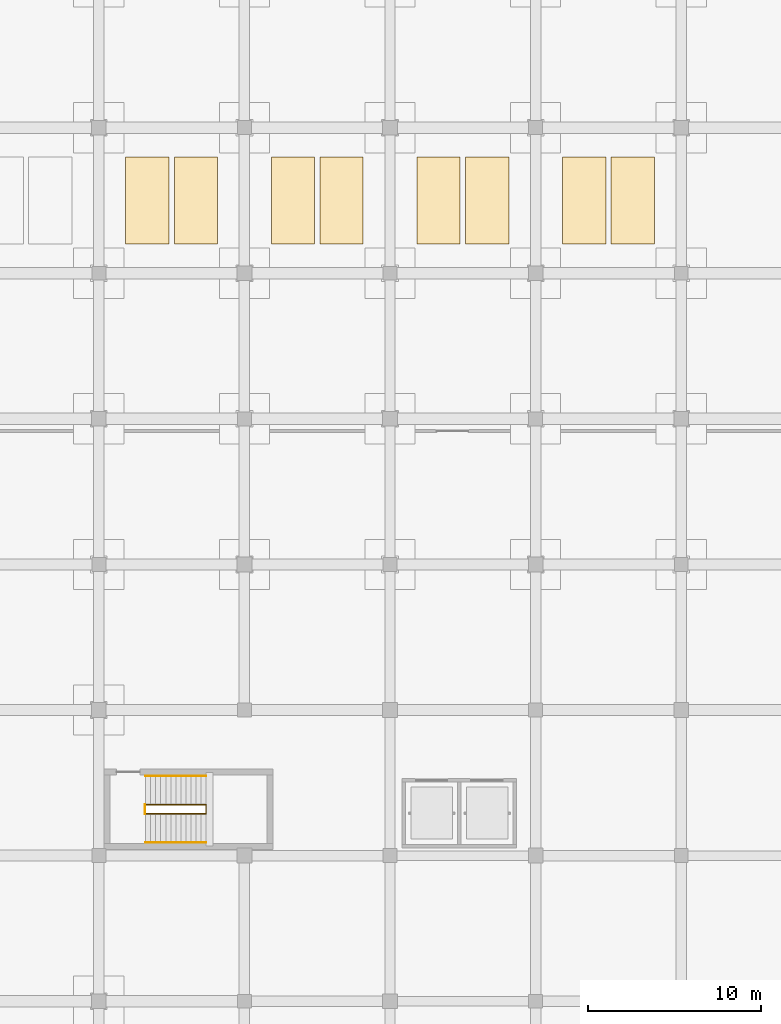
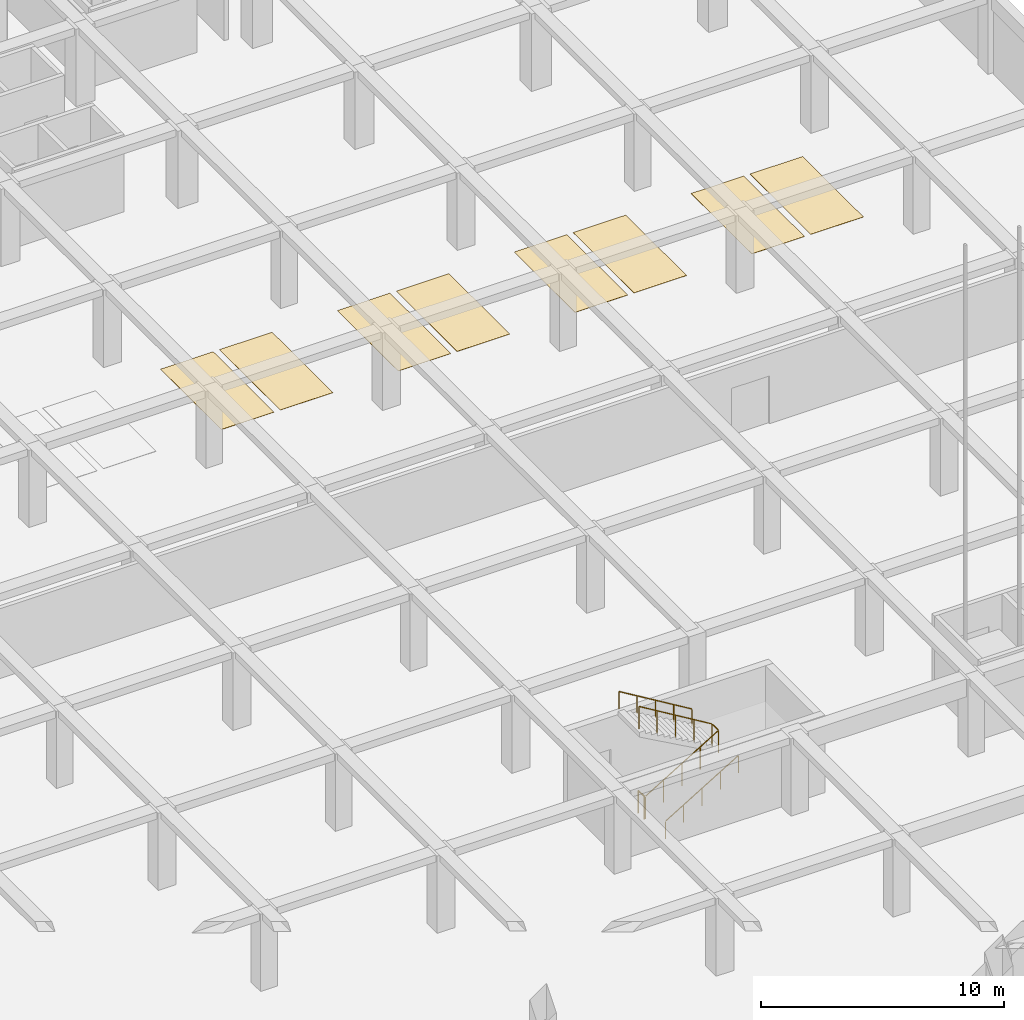
# One storey, part 30 of 32: 8 coverings, 4 railings.
"""IFC4 building model written with IfcOpenShell, lengths in metres."""

from ifc_helpers import new_model, si_unit, direction, frame, origin, origin_2d, place, context, subcontext, project, spatial, rectangle, circle, extrude, material, layer, layer_set, type_object, element, save


model = new_model("IFC4")

# Units and contexts
model_context = context("Model", 3, precision=1e-05, world=origin(), true_north=direction((0.0, 1.0)))
body_context = subcontext(model_context, "Body", "Model", "MODEL_VIEW")
ifc_project = project(units=[si_unit("LENGTHUNIT", "METRE"), si_unit("AREAUNIT", "SQUARE_METRE"), si_unit("VOLUMEUNIT", "CUBIC_METRE"), si_unit("PLANEANGLEUNIT", "RADIAN"), si_unit("MASSUNIT", "GRAM", prefix="KILO")], contexts=[model_context])

# Site, building, storey
site_placement = place(None, origin())
site = spatial("IfcSite", under=ifc_project, at=site_placement, CompositionType="ELEMENT")
building_placement = place(site_placement, origin())
building = spatial("IfcBuilding", under=site, at=building_placement, Name="Almacenes y Pasaje Nevantli", CompositionType="ELEMENT")
storey_placement = place(building_placement, frame((0.0, 0.0, -4.199951171875)))
storey = spatial("IfcBuildingStorey", under=building, at=storey_placement, Name="B01", CompositionType="ELEMENT", Elevation=-4.199951171875)

# Coverings
ifc_material_1 = material(Name="Thermoplastic Traffic Deck Marking", Category="stone")
ifc_layer = layer(ifc_material_1, 0.010009765625)
ifc_layer_set = layer_set([ifc_layer], Name="Thermoplastic Traffic Deck Marking")
covering_type = type_object("IfcCoveringType", Name="COV-PARK-BAY", PredefinedType="FLOORING", material=ifc_layer_set)
for number, where, z_axis, x_axis, name in (
    (1, (128.800048828125, 54.60009765625, 0.0), (0.0, 0.0, 1.0), (1.0, 0.0, 0.0), "B01 Underground Parking Bay Marking #101"),
    (2, (131.60009765625, 54.60009765625, 0.0), (0.0, 0.0, 1.0), (1.0, 0.0, 0.0), "B01 Underground Parking Bay Marking #102"),
    (3, (137.199951171875, 54.60009765625, 0.0), (0.0, 0.0, 1.0), (1.0, 0.0, 0.0), "B01 Underground Parking Bay Marking #103"),
    (4, (140.0, 54.60009765625, 0.0), (0.0, 0.0, 1.0), (1.0, 0.0, 0.0), "B01 Underground Parking Bay Marking #104"),
    (5, (145.60009765625, 54.60009765625, 0.0), (0.0, 0.0, 1.0), (1.0, 0.0, 0.0), "B01 Underground Parking Bay Marking #105"),
    (6, (148.39990234375, 54.60009765625, 0.0), (0.0, 0.0, 1.0), (1.0, 0.0, 0.0), "B01 Underground Parking Bay Marking #106"),
    (7, (154.0, 54.60009765625, 0.0), (0.0, 0.0, 1.0), (1.0, 0.0, 0.0), "B01 Underground Parking Bay Marking #107"),
    (8, (156.800048828125, 54.60009765625, 0.0), (0.0, 0.0, 1.0), (1.0, 0.0, 0.0), "B01 Underground Parking Bay Marking #108"),
):
    element("IfcCovering", number, at=place(storey_placement, frame(where, z_axis=z_axis, x_axis=x_axis)), inside=storey, type_object=covering_type, Name=name, PredefinedType="FLOORING", context=body_context, shape_type="SweptSolid", body=[
        extrude(rectangle(XDim=2.5, YDim=5.0, at=origin_2d()), origin(), (0.0, 0.0, 1.0), 0.010009765625),
    ])

# Railings
ifc_material_2 = material(Name="Brushed Stainless Steel and Tempered Safety Glass", Category="steel")
railing_type_1 = type_object("IfcRailingType", Name="RL-GUARD-1100", PredefinedType="BALUSTRADE", material=ifc_material_2)
railing_1_placement = place(storey_placement, frame((128.699951171875, 19.2099609375, 0.0)))
element("IfcRailing", 9, at=railing_1_placement, inside=storey, type_object=railing_type_1, Name="B01 Stair ST-06 Inner Well Guard Balustrade", PredefinedType="BALUSTRADE", context=body_context, shape_type="SweptSolid", body=[
    extrude(circle(Radius=0.02392578125, at=origin_2d()), frame((0.025634765625, 0.0, 1.141357421875), z_axis=(0.856202320911, 0.0, 0.516640673647), x_axis=(0.0, 1.0, 0.0)), (0.0, 0.0, 1.0), 4.00439453125),
    extrude(circle(Radius=0.02392578125, at=origin_2d()), frame((3.47998046875, 0.030029296875, 3.2255859375), z_axis=(0.0, 1.0, 0.0), x_axis=(-1.0, 0.0, 0.0)), (0.0, 0.0, 1.0), 0.469970703125),
    extrude(circle(Radius=0.02392578125, at=origin_2d()), frame((3.454345703125, 0.530029296875, 3.2412109375), z_axis=(-0.856175749803, 0.0, 0.516684706034), x_axis=(0.0, -1.0, 0.0)), (0.0, 0.0, 1.0), 4.004638671875),
    extrude(circle(Radius=0.02099609375, at=origin_2d()), origin(), (0.0, 0.0, 1.0), 1.096923828125),
    extrude(circle(Radius=0.02099609375, at=origin_2d()), frame((0.8701171875, 0.0, 0.52490234375)), (0.0, 0.0, 1.0), 1.096923828125),
    extrude(circle(Radius=0.02099609375, at=origin_2d()), frame((1.739990234375, 0.0, 1.0498046875)), (0.0, 0.0, 1.0), 1.096923828125),
    extrude(circle(Radius=0.02099609375, at=origin_2d()), frame((2.60986328125, 0.0, 1.574951171875)), (0.0, 0.0, 1.0), 1.096923828125),
    extrude(circle(Radius=0.02099609375, at=origin_2d()), frame((3.47998046875, 0.0, 2.099853515625)), (0.0, 0.0, 1.0), 1.096923828125),
    extrude(circle(Radius=0.02099609375, at=origin_2d()), frame((3.47998046875, 0.530029296875, 2.099853515625)), (0.0, 0.0, 1.0), 1.096923828125),
    extrude(circle(Radius=0.02099609375, at=origin_2d()), frame((2.60986328125, 0.530029296875, 2.625)), (0.0, 0.0, 1.0), 1.096923828125),
    extrude(circle(Radius=0.02099609375, at=origin_2d()), frame((1.739990234375, 0.530029296875, 3.14990234375)), (0.0, 0.0, 1.0), 1.096923828125),
    extrude(circle(Radius=0.02099609375, at=origin_2d()), frame((0.8701171875, 0.530029296875, 3.6748046875)), (0.0, 0.0, 1.0), 1.096923828125),
    extrude(circle(Radius=0.02099609375, at=origin_2d()), frame((0.0, 0.530029296875, 4.199951171875)), (0.0, 0.0, 1.0), 1.096923828125),
])
railing_2_placement = place(storey_placement, frame((128.659912109375, 19.2099609375, 0.0)))
element("IfcRailing", 10, at=railing_2_placement, inside=storey, type_object=railing_type_1, Name="B01 Stair ST-06 Landing Well Slot Guard", PredefinedType="BALUSTRADE", context=body_context, shape_type="SweptSolid", body=[
    extrude(circle(Radius=0.02392578125, at=origin_2d()), frame((0.0, 0.030029296875, 1.1259765625), z_axis=(0.0, 1.0, 0.0), x_axis=(-1.0, 0.0, 0.0)), (0.0, 0.0, 1.0), 0.469970703125),
    extrude(circle(Radius=0.02099609375, at=origin_2d()), origin(), (0.0, 0.0, 1.0), 1.096923828125),
    extrude(circle(Radius=0.02099609375, at=origin_2d()), frame((0.0, 0.530029296875, 0.0)), (0.0, 0.0, 1.0), 1.096923828125),
])
ifc_material_3 = material(Name="Brushed Stainless Steel Tube", Category="steel")
railing_type_2 = type_object("IfcRailingType", Name="RL-HANDRAIL-900", PredefinedType="HANDRAIL", material=ifc_material_3)
railing_3_placement = place(storey_placement, frame((128.699951171875, 17.56005859375, 0.0)))
element("IfcRailing", 11, at=railing_3_placement, inside=storey, type_object=railing_type_2, Name="B01 Stair ST-06 Lower Flight Handrail", PredefinedType="HANDRAIL", context=body_context, shape_type="SweptSolid", body=[
    extrude(circle(Radius=0.02392578125, at=origin_2d()), frame((0.025634765625, 0.0, 0.891357421875), z_axis=(0.856202320911, 0.0, 0.516640673647), x_axis=(0.0, 1.0, 0.0)), (0.0, 0.0, 1.0), 4.00439453125),
    extrude(circle(Radius=0.02099609375, at=origin_2d()), origin(), (0.0, 0.0, 1.0), 0.846923828125),
    extrude(circle(Radius=0.02099609375, at=origin_2d()), frame((0.8701171875, 0.0, 0.52490234375)), (0.0, 0.0, 1.0), 0.846923828125),
    extrude(circle(Radius=0.02099609375, at=origin_2d()), frame((1.739990234375, 0.0, 1.0498046875)), (0.0, 0.0, 1.0), 0.846923828125),
    extrude(circle(Radius=0.02099609375, at=origin_2d()), frame((2.60986328125, 0.0, 1.574951171875)), (0.0, 0.0, 1.0), 0.846923828125),
    extrude(circle(Radius=0.02099609375, at=origin_2d()), frame((3.47998046875, 0.0, 2.099853515625)), (0.0, 0.0, 1.0), 0.846923828125),
])
railing_4_placement = place(storey_placement, frame((132.179931640625, 21.389892578125, 2.099853515625)))
element("IfcRailing", 12, at=railing_4_placement, inside=storey, type_object=railing_type_2, Name="B01 Stair ST-06 Upper Flight Handrail", PredefinedType="HANDRAIL", context=body_context, shape_type="SweptSolid", body=[
    extrude(circle(Radius=0.02392578125, at=origin_2d()), frame((-0.025634765625, 0.0, 0.891357421875), z_axis=(-0.856175749803, 0.0, 0.516684706034), x_axis=(0.0, -1.0, 0.0)), (0.0, 0.0, 1.0), 4.004638671875),
    extrude(circle(Radius=0.02099609375, at=origin_2d()), origin(), (0.0, 0.0, 1.0), 0.846923828125),
    extrude(circle(Radius=0.02099609375, at=origin_2d()), frame((-0.8701171875, 0.0, 0.52490234375)), (0.0, 0.0, 1.0), 0.846923828125),
    extrude(circle(Radius=0.02099609375, at=origin_2d()), frame((-1.739990234375, 0.0, 1.050048828125)), (0.0, 0.0, 1.0), 0.846923828125),
    extrude(circle(Radius=0.02099609375, at=origin_2d()), frame((-2.60986328125, 0.0, 1.5751953125)), (0.0, 0.0, 1.0), 0.846923828125),
    extrude(circle(Radius=0.02099609375, at=origin_2d()), frame((-3.47998046875, 0.0, 2.10009765625)), (0.0, 0.0, 1.0), 0.846923828125),
])

save(model, "model.ifc")
